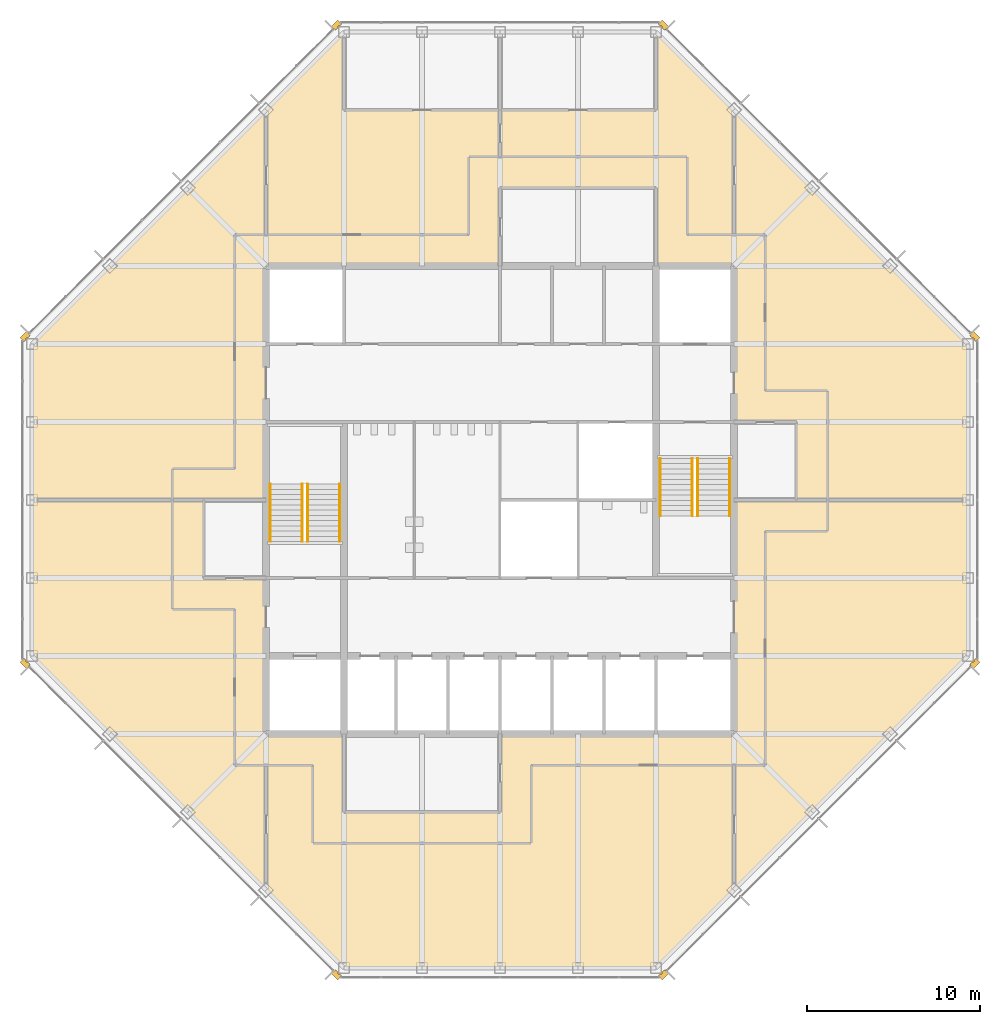
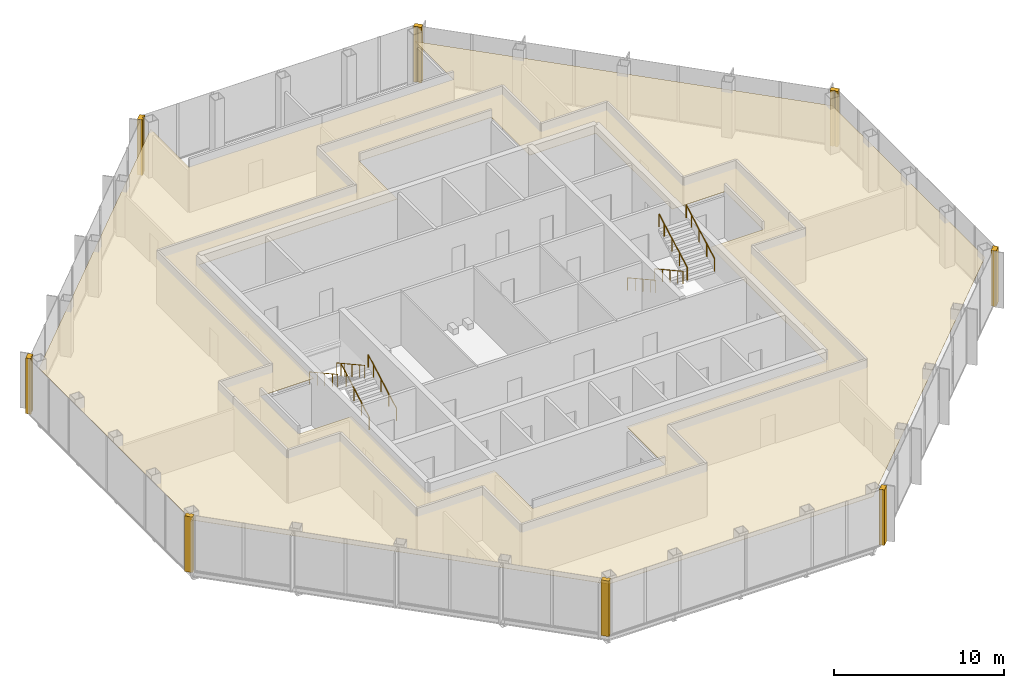
# One storey, part 12 of 13: 9 coverings, 8 railings.
"""IFC4 building model written with IfcOpenShell, lengths in metres."""

from ifc_helpers import new_model, si_unit, direction, frame, origin, origin_2d, place, context, subcontext, project, spatial, polyline, circle, outline, extrude, material, layer, layer_set, type_object, element, save


model = new_model("IFC4")

# Units and contexts
model_context = context("Model", 3, precision=1e-05, world=origin(), true_north=direction((0.0, 1.0)))
body_context = subcontext(model_context, "Body", "Model", "MODEL_VIEW")
ifc_project = project(units=[si_unit("LENGTHUNIT", "METRE"), si_unit("AREAUNIT", "SQUARE_METRE"), si_unit("VOLUMEUNIT", "CUBIC_METRE"), si_unit("PLANEANGLEUNIT", "RADIAN"), si_unit("MASSUNIT", "GRAM", prefix="KILO")], contexts=[model_context])

# Site, building, storey
site_placement = place(None, origin())
site = spatial("IfcSite", under=ifc_project, at=site_placement, CompositionType="ELEMENT")
building_placement = place(site_placement, origin())
building = spatial("IfcBuilding", under=site, at=building_placement, Name="Corais Broadcast Tower", CompositionType="ELEMENT")
storey_placement = place(building_placement, frame((0.0, 0.0, 238.60009765625)))
storey = spatial("IfcBuildingStorey", under=building, at=storey_placement, Name="L55", CompositionType="ELEMENT", Elevation=238.60009765625)

# Railings
ifc_material_1 = material(Name="Stainless steel handrail", Category="steel")
railing_type = type_object("IfcRailingType", Name="Handrail 920", PredefinedType="HANDRAIL", material=ifc_material_1)
for number, where, name in (
    (1, (17.75, 24.60009765625, 0.16650390625), "HR1 L55"),
    (2, (15.89990234375, 24.60009765625, 0.16650390625), "HR1 L55"),
):
    element("IfcRailing", number, at=place(storey_placement, frame(where)), inside=storey, type_object=railing_type, Name=name, PredefinedType="HANDRAIL", context=body_context, shape_type="SweptSolid", body=[
        extrude(circle(Radius=0.02392578125, at=origin_2d()), frame((0.0, 0.0, 0.89599609375), z_axis=(0.0, 0.875504475178, 0.483210010185), x_axis=(-1.0, 0.0, 0.0)), (0.0, 0.0, 1.0), 3.79443359375),
        extrude(circle(Radius=0.02099609375, at=origin_2d()), origin(), (0.0, 0.0, 1.0), 0.871826171875),
        extrude(circle(Radius=0.02099609375, at=origin_2d()), frame((0.0, 0.906005859375, 0.5)), (0.0, 0.0, 1.0), 0.871826171875),
        extrude(circle(Radius=0.02099609375, at=origin_2d()), frame((0.0, 1.81201171875, 1.0)), (0.0, 0.0, 1.0), 0.871826171875),
        extrude(circle(Radius=0.02099609375, at=origin_2d()), frame((0.0, 2.718017578125, 1.500244140625)), (0.0, 0.0, 1.0), 0.871826171875),
        extrude(circle(Radius=0.02099609375, at=origin_2d()), frame((0.0, 3.322021484375, 1.83349609375)), (0.0, 0.0, 1.0), 0.871826171875),
    ])
for number, where, name in (
    (3, (13.75, 27.922119140625, 2.16650390625), "HR1 L55"),
    (4, (15.60009765625, 27.922119140625, 2.16650390625), "HR1 L55"),
    (5, (36.25, 29.39990234375, 0.16650390625), "HR1 L55"),
    (6, (38.10009765625, 29.39990234375, 0.16650390625), "HR1 L55"),
):
    element("IfcRailing", number, at=place(storey_placement, frame(where)), inside=storey, type_object=railing_type, Name=name, PredefinedType="HANDRAIL", context=body_context, shape_type="SweptSolid", body=[
        extrude(circle(Radius=0.02392578125, at=origin_2d()), frame((0.0, 0.0, 0.89599609375), z_axis=(0.0, -0.875504475178, 0.483210010185), x_axis=(1.0, 0.0, 0.0)), (0.0, 0.0, 1.0), 3.79443359375),
        extrude(circle(Radius=0.02099609375, at=origin_2d()), origin(), (0.0, 0.0, 1.0), 0.871826171875),
        extrude(circle(Radius=0.02099609375, at=origin_2d()), frame((0.0, -0.906005859375, 0.5)), (0.0, 0.0, 1.0), 0.871826171875),
        extrude(circle(Radius=0.02099609375, at=origin_2d()), frame((0.0, -1.81201171875, 1.0)), (0.0, 0.0, 1.0), 0.871826171875),
        extrude(circle(Radius=0.02099609375, at=origin_2d()), frame((0.0, -2.718017578125, 1.500244140625)), (0.0, 0.0, 1.0), 0.871826171875),
        extrude(circle(Radius=0.02099609375, at=origin_2d()), frame((0.0, -3.322021484375, 1.83349609375)), (0.0, 0.0, 1.0), 0.871826171875),
    ])
for number, where, name in (
    (7, (40.25, 26.077880859375, 2.16650390625), "HR1 L55"),
    (8, (38.39990234375, 26.077880859375, 2.16650390625), "HR1 L55"),
):
    element("IfcRailing", number, at=place(storey_placement, frame(where)), inside=storey, type_object=railing_type, Name=name, PredefinedType="HANDRAIL", context=body_context, shape_type="SweptSolid", body=[
        extrude(circle(Radius=0.02392578125, at=origin_2d()), frame((0.0, 0.0, 0.89599609375), z_axis=(0.0, 0.875504475178, 0.483210010185), x_axis=(-1.0, 0.0, 0.0)), (0.0, 0.0, 1.0), 3.79443359375),
        extrude(circle(Radius=0.02099609375, at=origin_2d()), origin(), (0.0, 0.0, 1.0), 0.871826171875),
        extrude(circle(Radius=0.02099609375, at=origin_2d()), frame((0.0, 0.906005859375, 0.5)), (0.0, 0.0, 1.0), 0.871826171875),
        extrude(circle(Radius=0.02099609375, at=origin_2d()), frame((0.0, 1.81201171875, 1.0)), (0.0, 0.0, 1.0), 0.871826171875),
        extrude(circle(Radius=0.02099609375, at=origin_2d()), frame((0.0, 2.718017578125, 1.500244140625)), (0.0, 0.0, 1.0), 0.871826171875),
        extrude(circle(Radius=0.02099609375, at=origin_2d()), frame((0.0, 3.322021484375, 1.83349609375)), (0.0, 0.0, 1.0), 0.871826171875),
    ])

# Coverings
ifc_material_2 = material(Name="Granite stone cladding", Category="masonry")
ifc_layer_1 = layer(ifc_material_2, 0.324951171875)
ifc_layer_set_1 = layer_set([ifc_layer_1], Name="Granite stone cladding")
covering_type_1 = type_object("IfcCoveringType", Name="Stone corner pier cladding 500x325", PredefinedType="CLADDING", material=ifc_layer_set_1)
covering_1_placement = place(storey_placement, origin())
element("IfcCovering", 9, at=covering_1_placement, inside=storey, type_object=covering_type_1, Name="SP1 stone corner pier L55", PredefinedType="CLADDING", context=body_context, shape_type="SweptSolid", body=[
    extrude(outline(polyline([(17.860595703125, -0.461669921875), (17.7490234375, -0.35009765625), (17.64990234375, -0.35009765625), (17.64990234375, -0.2509765625), (17.507080078125, -0.108154296875), (17.277099609375, -0.337890625), (17.630859375, -0.69140625), (17.860595703125, -0.461669921875)])), origin(), (0.0, 0.0, 1.0), 4.0),
])
covering_2_placement = place(storey_placement, origin())
element("IfcCovering", 10, at=covering_2_placement, inside=storey, type_object=covering_type_1, Name="SP1 stone corner pier L55", PredefinedType="CLADDING", context=body_context, shape_type="SweptSolid", body=[
    extrude(outline(polyline([(-0.35009765625, 17.7490234375), (-0.461669921875, 17.860595703125), (-0.69140625, 17.630859375), (-0.337890625, 17.277099609375), (-0.108154296875, 17.507080078125), (-0.2509765625, 17.64990234375), (-0.35009765625, 17.64990234375), (-0.35009765625, 17.7490234375)])), origin(), (0.0, 0.0, 1.0), 4.0),
])
covering_3_placement = place(storey_placement, origin())
element("IfcCovering", 11, at=covering_3_placement, inside=storey, type_object=covering_type_1, Name="SP1 stone corner pier L55", PredefinedType="CLADDING", context=body_context, shape_type="SweptSolid", body=[
    extrude(outline(polyline([(-0.461669921875, 36.139404296875), (-0.35009765625, 36.2509765625), (-0.35009765625, 36.35009765625), (-0.2509765625, 36.35009765625), (-0.108154296875, 36.492919921875), (-0.337890625, 36.722900390625), (-0.69140625, 36.369140625), (-0.461669921875, 36.139404296875)])), origin(), (0.0, 0.0, 1.0), 4.0),
])
covering_4_placement = place(storey_placement, origin())
element("IfcCovering", 12, at=covering_4_placement, inside=storey, type_object=covering_type_1, Name="SP1 stone corner pier L55", PredefinedType="CLADDING", context=body_context, shape_type="SweptSolid", body=[
    extrude(outline(polyline([(17.7490234375, 54.35009765625), (17.860595703125, 54.461669921875), (17.630859375, 54.69140625), (17.277099609375, 54.337890625), (17.507080078125, 54.108154296875), (17.64990234375, 54.2509765625), (17.64990234375, 54.35009765625), (17.7490234375, 54.35009765625)])), origin(), (0.0, 0.0, 1.0), 4.0),
])
covering_5_placement = place(storey_placement, origin())
element("IfcCovering", 13, at=covering_5_placement, inside=storey, type_object=covering_type_1, Name="SP1 stone corner pier L55", PredefinedType="CLADDING", context=body_context, shape_type="SweptSolid", body=[
    extrude(outline(polyline([(36.139404296875, 54.461669921875), (36.2509765625, 54.35009765625), (36.35009765625, 54.35009765625), (36.35009765625, 54.2509765625), (36.492919921875, 54.108154296875), (36.722900390625, 54.337890625), (36.369140625, 54.69140625), (36.139404296875, 54.461669921875)])), origin(), (0.0, 0.0, 1.0), 4.0),
])
covering_6_placement = place(storey_placement, origin())
element("IfcCovering", 14, at=covering_6_placement, inside=storey, type_object=covering_type_1, Name="SP1 stone corner pier L55", PredefinedType="CLADDING", context=body_context, shape_type="SweptSolid", body=[
    extrude(outline(polyline([(54.35009765625, 36.2509765625), (54.461669921875, 36.139404296875), (54.69140625, 36.369140625), (54.337890625, 36.722900390625), (54.108154296875, 36.492919921875), (54.2509765625, 36.35009765625), (54.35009765625, 36.35009765625), (54.35009765625, 36.2509765625)])), origin(), (0.0, 0.0, 1.0), 4.0),
])
covering_7_placement = place(storey_placement, origin())
element("IfcCovering", 15, at=covering_7_placement, inside=storey, type_object=covering_type_1, Name="SP1 stone corner pier L55", PredefinedType="CLADDING", context=body_context, shape_type="SweptSolid", body=[
    extrude(outline(polyline([(54.461669921875, 17.860595703125), (54.35009765625, 17.7490234375), (54.35009765625, 17.64990234375), (54.2509765625, 17.64990234375), (54.108154296875, 17.507080078125), (54.337890625, 17.277099609375), (54.69140625, 17.630859375), (54.461669921875, 17.860595703125)])), origin(), (0.0, 0.0, 1.0), 4.0),
])
covering_8_placement = place(storey_placement, origin())
element("IfcCovering", 16, at=covering_8_placement, inside=storey, type_object=covering_type_1, Name="SP1 stone corner pier L55", PredefinedType="CLADDING", context=body_context, shape_type="SweptSolid", body=[
    extrude(outline(polyline([(36.2509765625, -0.35009765625), (36.139404296875, -0.461669921875), (36.369140625, -0.69140625), (36.722900390625, -0.337890625), (36.492919921875, -0.108154296875), (36.35009765625, -0.2509765625), (36.35009765625, -0.35009765625), (36.2509765625, -0.35009765625)])), origin(), (0.0, 0.0, 1.0), 4.0),
])
ifc_material_3 = material(Name="Mineral fibre ceiling tile", Category="mineral")
ifc_layer_2 = layer(ifc_material_3, 0.02001953125)
ifc_layer_set_2 = layer_set([ifc_layer_2], Name="Mineral fibre ceiling tile")
covering_type_2 = type_object("IfcCoveringType", Name="Suspended ceiling", PredefinedType="CEILING", material=ifc_layer_set_2)
covering_9_placement = place(storey_placement, frame((0.0, 0.0, 3.219970703125)))
element("IfcCovering", 17, at=covering_9_placement, inside=storey, type_object=covering_type_2, Name="CE1 ceiling L55", PredefinedType="CEILING", context=body_context, shape_type="SweptSolid", body=[
    extrude(outline(polyline([(13.5, 49.5), (18.0, 54.0), (18.0, 49.5), (36.0, 49.5), (36.0, 54.0), (54.0, 36.0), (54.0, 18.0), (40.500244140625, 4.500244140625), (36.0, 0.0), (18.0, 0.0), (13.501708984375, 4.498291015625), (13.499755859375, 4.500244140625), (0.0, 18.0), (0.0, 36.0), (13.5, 49.5)]), holes=[polyline([(9.89990234375, 22.5), (13.5, 22.5), (13.5, 13.5), (18.0, 13.5), (18.0, 9.0), (27.0, 9.0), (27.0, 13.5), (40.5, 13.5), (40.5, 26.99951171875), (44.10009765625, 26.99951171875), (44.10009765625, 31.5), (40.5, 31.5), (40.5, 40.5), (36.0, 40.5), (36.0, 45.0), (27.0, 45.0), (27.0, 40.5), (13.5, 40.5), (13.5, 27.00048828125), (9.89990234375, 27.00048828125), (9.89990234375, 22.5)])]), origin(), (0.0, 0.0, 1.0), 0.02001953125),
])

save(model, "model.ifc")
